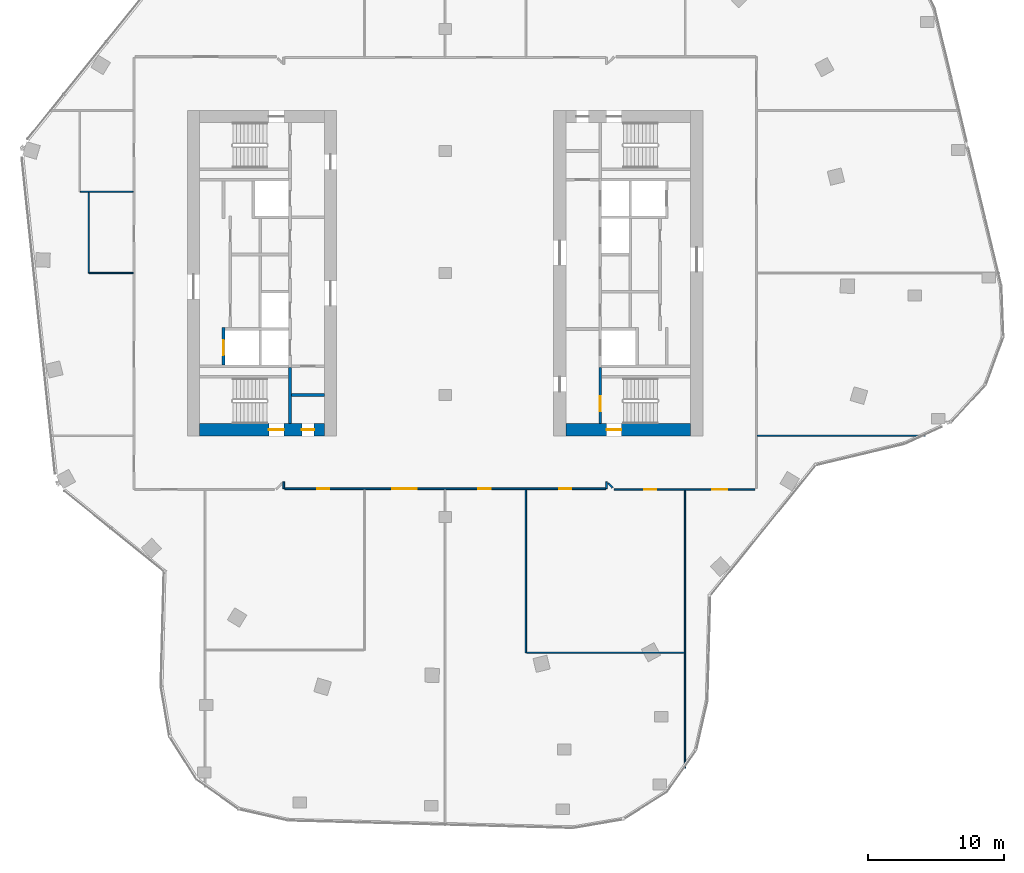
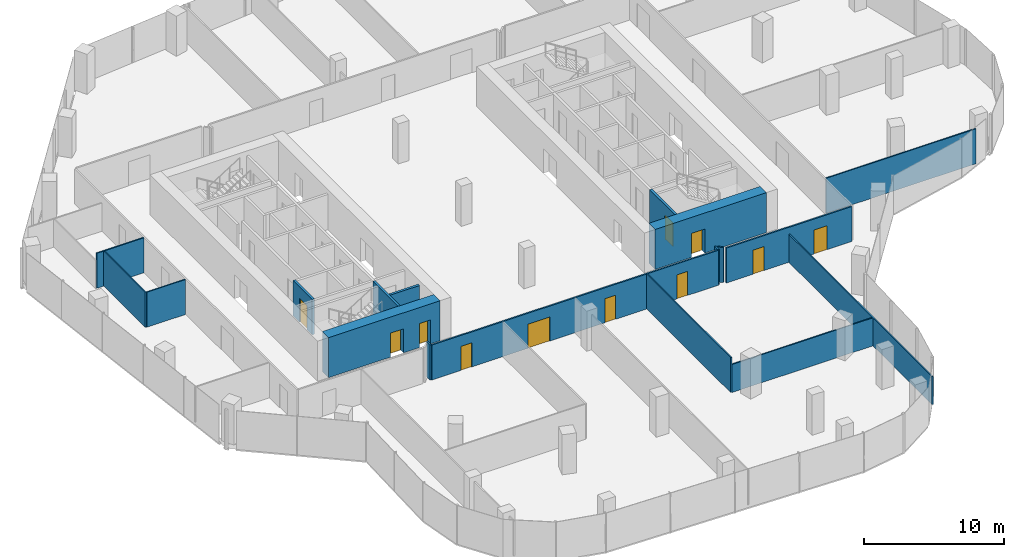
# One storey, part 18 of 23: 18 walls, 11 doors, 11 openings.
"""IFC4 building model written with IfcOpenShell, lengths in metres."""

from ifc_helpers import new_model, si_unit, direction, frame, frame_2d, origin, place, context, subcontext, project, spatial, rectangle, extrude, material, layer, layer_set, type_object, element, fill, save


model = new_model("IFC4")

# Units and contexts
model_context = context("Model", 3, precision=1e-05, world=origin(), true_north=direction((0.0, 1.0)))
body_context = subcontext(model_context, "Body", "Model", "MODEL_VIEW")
ifc_project = project(units=[si_unit("LENGTHUNIT", "METRE"), si_unit("AREAUNIT", "SQUARE_METRE"), si_unit("VOLUMEUNIT", "CUBIC_METRE"), si_unit("PLANEANGLEUNIT", "RADIAN"), si_unit("MASSUNIT", "GRAM", prefix="KILO")], contexts=[model_context])

# Site, building, storey
site_placement = place(None, origin())
site = spatial("IfcSite", under=ifc_project, at=site_placement, CompositionType="ELEMENT")
building_placement = place(site_placement, origin())
building = spatial("IfcBuilding", under=site, at=building_placement, Name="Orlundy Tower", CompositionType="ELEMENT")
storey_placement = place(building_placement, frame((0.0, 0.0, 221.0)))
storey = spatial("IfcBuildingStorey", under=building, at=storey_placement, Name="L58", CompositionType="ELEMENT", Elevation=221.0)

# Wall, openings, doors
ifc_material_1 = material(Name="Concrete C60/75", Category="concrete")
ifc_layer_1 = layer(ifc_material_1, 0.89990234375)
ifc_layer_set_1 = layer_set([ifc_layer_1], Name="CORE WALL 900 C60/75")
wall_type_1 = type_object("IfcWallType", Name="CORE WALL 900 C60/75", PredefinedType="SHEAR", material=ifc_layer_set_1)
wall_1_placement = place(storey_placement, frame((-18.10009765625, -11.550048828125, 0.0), z_axis=(0.0, 0.0, 1.0), x_axis=(1.0, 0.0, 0.0)))
wall_1 = element("IfcWall", 1, at=wall_1_placement, inside=storey, type_object=wall_type_1, Name="Core wall W-S L58", PredefinedType="SHEAR", context=body_context, shape_type="SweptSolid", body=[
    extrude(rectangle(XDim=9.2001953125, YDim=0.89990234375, at=frame_2d((4.60009765625, 0.0))), origin(), (0.0, 0.0, 1.0), 3.5),
])
opening_1_placement = place(wall_1_placement, frame((5.10009765625, 0.0, 0.0)))
opening_1 = element("IfcOpeningElement", 2, at=opening_1_placement, cuts=wall_1, Name="Opening 45013", PredefinedType="OPENING", context=body_context, shape_type="SweptSolid", body=[
    extrude(rectangle(XDim=1.10009765625, YDim=2.10009765625, at=frame_2d((0.550048828125, 1.050048828125))), frame((0.0, 0.4599609375, 0.0), z_axis=(0.0, -1.0, 0.0), x_axis=(1.0, 0.0, 0.0)), (0.0, 0.0, 1.0), 0.919921875),
])
opening_2_placement = place(wall_1_placement, frame((7.530029296875, 0.0, 0.0)))
opening_2 = element("IfcOpeningElement", 3, at=opening_2_placement, cuts=wall_1, Name="Opening 45015", PredefinedType="OPENING", context=body_context, shape_type="SweptSolid", body=[
    extrude(rectangle(XDim=0.89990234375, YDim=2.10009765625, at=frame_2d((0.449951171875, 1.050048828125))), frame((0.0, 0.4599609375, 0.0), z_axis=(0.0, -1.0, 0.0), x_axis=(1.0, 0.0, 0.0)), (0.0, 0.0, 1.0), 0.919921875),
])
ifc_material_2 = material(Name="Timber door set", Category="wood")
door_type_1 = type_object("IfcDoorType", Name="Room Door 900x2100", OperationType="SINGLE_SWING_LEFT", PredefinedType="DOOR", material=ifc_material_2)
door_1_placement = place(opening_2_placement, origin())
door_1 = element("IfcDoor", 4, at=door_1_placement, inside=storey, type_object=door_type_1, Name="Store door 45015", OperationType="SINGLE_SWING_RIGHT", OverallHeight=2.10009765625, OverallWidth=0.89990234375, PredefinedType="DOOR", context=body_context, shape_type="SweptSolid", body=[
    extrude(rectangle(XDim=0.89990234375, YDim=2.10009765625, at=frame_2d((0.449951171875, 1.050048828125))), frame((0.0, 0.02490234375, 0.0), z_axis=(0.0, -1.0, 0.0), x_axis=(1.0, 0.0, 0.0)), (0.0, 0.0, 1.0), 0.050048828125),
])
fill(opening_2, door_1)
ifc_material_3 = material(Name="Steel door set", Category="steel")
door_type_2 = type_object("IfcDoorType", Name="Stair Door 1100x2100", OperationType="SINGLE_SWING_LEFT", PredefinedType="DOOR", material=ifc_material_3)
door_2_placement = place(opening_1_placement, origin())
door_2 = element("IfcDoor", 5, at=door_2_placement, inside=storey, type_object=door_type_2, Name="Stair door 45013", OperationType="SINGLE_SWING_RIGHT", OverallHeight=2.10009765625, OverallWidth=1.10009765625, PredefinedType="DOOR", context=body_context, shape_type="SweptSolid", body=[
    extrude(rectangle(XDim=1.10009765625, YDim=2.10009765625, at=frame_2d((0.550048828125, 1.050048828125))), frame((0.0, 0.02490234375, 0.0), z_axis=(0.0, -1.0, 0.0), x_axis=(1.0, 0.0, 0.0)), (0.0, 0.0, 1.0), 0.050048828125),
])
fill(opening_1, door_2)

# Wall, opening, door
wall_2_placement = place(storey_placement, frame((8.89990234375, -11.550048828125, 0.0), z_axis=(0.0, 0.0, 1.0), x_axis=(1.0, 0.0, 0.0)))
wall_2 = element("IfcWall", 6, at=wall_2_placement, inside=storey, type_object=wall_type_1, Name="Core wall E-S L58", PredefinedType="SHEAR", context=body_context, shape_type="SweptSolid", body=[
    extrude(rectangle(XDim=9.2001953125, YDim=0.89990234375, at=frame_2d((4.60009765625, 0.0))), origin(), (0.0, 0.0, 1.0), 3.5),
])
opening_3_placement = place(wall_2_placement, frame((3.0, 0.0, 0.0)))
opening_3 = element("IfcOpeningElement", 7, at=opening_3_placement, cuts=wall_2, Name="Opening 45061", PredefinedType="OPENING", context=body_context, shape_type="SweptSolid", body=[
    extrude(rectangle(XDim=1.10009765625, YDim=2.10009765625, at=frame_2d((0.550048828125, 1.050048828125))), frame((0.0, 0.4599609375, 0.0), z_axis=(0.0, -1.0, 0.0), x_axis=(1.0, 0.0, 0.0)), (0.0, 0.0, 1.0), 0.919921875),
])
door_3_placement = place(opening_3_placement, origin())
door_3 = element("IfcDoor", 8, at=door_3_placement, inside=storey, type_object=door_type_2, Name="Stair door 45061", OperationType="SINGLE_SWING_LEFT", OverallHeight=2.10009765625, OverallWidth=1.10009765625, PredefinedType="DOOR", context=body_context, shape_type="SweptSolid", body=[
    extrude(rectangle(XDim=1.10009765625, YDim=2.10009765625, at=frame_2d((0.550048828125, 1.050048828125))), frame((0.0, 0.02490234375, 0.0), z_axis=(0.0, -1.0, 0.0), x_axis=(1.0, 0.0, 0.0)), (0.0, 0.0, 1.0), 0.050048828125),
])
fill(opening_3, door_3)

# Walls
ifc_material_4 = material(Name="Gypsum board partition")
ifc_layer_2 = layer(ifc_material_4, 0.10009765625)
ifc_layer_set_2 = layer_set([ifc_layer_2], Name="Floor partition 100")
wall_type_2 = type_object("IfcWallType", Name="Floor partition 100", PredefinedType="PARTITIONING", material=ifc_layer_set_2)
wall_3_placement = place(storey_placement, frame((23.013916015625, -12.0, 0.0), z_axis=(0.0, 0.0, 1.0), x_axis=(1.0, 0.0, 0.0)))
element("IfcWall", 9, at=wall_3_placement, inside=storey, type_object=wall_type_2, Name="wall-int-L58-009", PredefinedType="PARTITIONING", context=body_context, shape_type="SweptSolid", body=[
    extrude(rectangle(XDim=12.385009765625, YDim=0.10009765625, at=frame_2d((6.1923828125, 0.0))), origin(), (0.0, 0.0, 1.0), 3.06005859375),
])
wall_4_placement = place(storey_placement, frame((-26.23095703125, 0.0009765625, 0.0), z_axis=(0.0, 0.0, 1.0), x_axis=(1.0, 0.0, 0.0)))
element("IfcWall", 10, at=wall_4_placement, inside=storey, type_object=wall_type_2, Name="wall-int-L58-010", PredefinedType="PARTITIONING", context=body_context, shape_type="SweptSolid", body=[
    extrude(rectangle(XDim=3.218994140625, YDim=0.10009765625, at=frame_2d((1.609375, 0.0))), origin(), (0.0, 0.0, 1.0), 3.06005859375),
])
wall_5_placement = place(storey_placement, frame((-26.89794921875, 6.0009765625, 0.0), z_axis=(0.0, 0.0, 1.0), x_axis=(1.0, 0.0, 0.0)))
element("IfcWall", 11, at=wall_5_placement, inside=storey, type_object=wall_type_2, Name="wall-int-L58-012", PredefinedType="PARTITIONING", context=body_context, shape_type="SweptSolid", body=[
    extrude(rectangle(XDim=3.885986328125, YDim=0.10009765625, at=frame_2d((1.94287109375, 0.0))), origin(), (0.0, 0.0, 1.0), 3.06005859375),
])
wall_6_placement = place(storey_placement, frame((5.948974609375, -28.0009765625, 0.0), z_axis=(0.0, 0.0, 1.0), x_axis=(0.0, 1.0, 0.0)))
element("IfcWall", 12, at=wall_6_placement, inside=storey, type_object=wall_type_2, Name="wall-int-L58-025", PredefinedType="PARTITIONING", context=body_context, shape_type="SweptSolid", body=[
    extrude(rectangle(XDim=12.0380859375, YDim=0.10009765625, at=frame_2d((6.01904296875, 0.0))), origin(), (0.0, 0.0, 1.0), 3.06005859375),
])
wall_7_placement = place(storey_placement, frame((-26.281982421875, 0.001953125, 0.0), z_axis=(0.0, 0.0, 1.0), x_axis=(0.0, 1.0, 0.0)))
element("IfcWall", 13, at=wall_7_placement, inside=storey, type_object=wall_type_2, Name="wall-int-L58-035", PredefinedType="PARTITIONING", context=body_context, shape_type="SweptSolid", body=[
    extrude(rectangle(XDim=5.948974609375, YDim=0.10009765625, at=frame_2d((2.974609375, 0.0))), origin(), (0.0, 0.0, 1.0), 3.06005859375),
])
ifc_material_5 = material(Name="Gypsum board partition")
ifc_layer_3 = layer(ifc_material_5, 0.10009765625)
ifc_layer_set_3 = layer_set([ifc_layer_3], Name="Floor partition 100 B")
wall_type_3 = type_object("IfcWallType", Name="Floor partition 100 B", PredefinedType="PARTITIONING", material=ifc_layer_set_3)
wall_8_placement = place(storey_placement, frame((5.9990234375, -28.0009765625, 0.0), z_axis=(0.0, 0.0, 1.0), x_axis=(1.0, 0.0, 0.0)))
element("IfcWall", 14, at=wall_8_placement, inside=storey, type_object=wall_type_3, Name="wall-int-L58-003", PredefinedType="PARTITIONING", context=body_context, shape_type="SweptSolid", body=[
    extrude(rectangle(XDim=11.634033203125, YDim=0.10009765625, at=frame_2d((5.81689453125, 0.0))), origin(), (0.0, 0.0, 1.0), 2.448974609375),
])
wall_9_placement = place(storey_placement, frame((17.68310546875, -36.52392578125, 0.0), z_axis=(0.0, 0.0, 1.0), x_axis=(0.0, 1.0, 0.0)))
element("IfcWall", 15, at=wall_9_placement, inside=storey, type_object=wall_type_3, Name="wall-int-L58-022", PredefinedType="PARTITIONING", context=body_context, shape_type="SweptSolid", body=[
    extrude(rectangle(XDim=20.510009765625, YDim=0.10009765625, at=frame_2d((10.2548828125, 0.0))), origin(), (0.0, 0.0, 1.0), 2.448974609375),
])
ifc_material_6 = material(Name="Gypsum board partition, double layer")
ifc_layer_4 = layer(ifc_material_6, 0.125)
ifc_layer_set_4 = layer_set([ifc_layer_4], Name="Floor partition 125")
wall_type_4 = type_object("IfcWallType", Name="Floor partition 125", PredefinedType="PARTITIONING", material=ifc_layer_set_4)
wall_10_placement = place(storey_placement, frame((12.029052734375, -15.507080078125, 0.0), z_axis=(0.0, 0.0, 1.0), x_axis=(0.707106781187, -0.707106781187, 0.0)))
element("IfcWall", 16, at=wall_10_placement, inside=storey, type_object=wall_type_4, Name="wall-int-L58-001", PredefinedType="PARTITIONING", context=body_context, shape_type="SweptSolid", body=[
    extrude(rectangle(XDim=0.4482421875, YDim=0.125, at=frame_2d((0.22412109375, 0.0))), origin(), (0.0, 0.0, 1.0), 3.06005859375),
])

# Wall, openings, doors
wall_11_placement = place(storey_placement, frame((22.844970703125, -15.950927734375, 0.0), z_axis=(0.0, 0.0, 1.0), x_axis=(-1.0, 0.0, 0.0)))
wall_11 = element("IfcWall", 17, at=wall_11_placement, inside=storey, type_object=wall_type_4, Name="wall-int-L58-006", PredefinedType="PARTITIONING", context=body_context, shape_type="SweptSolid", body=[
    extrude(rectangle(XDim=10.385009765625, YDim=0.125, at=frame_2d((5.1923828125, 0.0))), origin(), (0.0, 0.0, 1.0), 3.06005859375),
])
opening_4_placement = place(wall_11_placement, frame((7.261474609375, 0.0, 0.0)))
opening_4 = element("IfcOpeningElement", 18, at=opening_4_placement, cuts=wall_11, Name="Opening 45106", PredefinedType="OPENING", context=body_context, shape_type="SweptSolid", body=[
    extrude(rectangle(XDim=0.89990234375, YDim=2.10009765625, at=frame_2d((0.449951171875, 1.050048828125))), frame((0.0, 0.072509765625, 0.0), z_axis=(0.0, -1.0, 0.0), x_axis=(1.0, 0.0, 0.0)), (0.0, 0.0, 1.0), 0.14501953125),
])
opening_5_placement = place(wall_11_placement, frame((2.03759765625, 0.0, 0.0)))
opening_5 = element("IfcOpeningElement", 19, at=opening_5_placement, cuts=wall_11, Name="Opening 45107", PredefinedType="OPENING", context=body_context, shape_type="SweptSolid", body=[
    extrude(rectangle(XDim=1.10009765625, YDim=2.10009765625, at=frame_2d((0.550048828125, 1.050048828125))), frame((0.0, 0.072509765625, 0.0), z_axis=(0.0, -1.0, 0.0), x_axis=(1.0, 0.0, 0.0)), (0.0, 0.0, 1.0), 0.14501953125),
])
ifc_material_7 = material(Name="Timber door leaf", Category="wood")
door_type_3 = type_object("IfcDoorType", Name="Floor door single 900 FD30S", OperationType="NOTDEFINED", PredefinedType="DOOR", material=ifc_material_7)
door_4_placement = place(opening_4_placement, origin())
door_4 = element("IfcDoor", 20, at=door_4_placement, inside=storey, type_object=door_type_3, Name="Door 45106", OperationType="SINGLE_SWING_RIGHT", OverallHeight=2.10009765625, OverallWidth=0.89990234375, PredefinedType="DOOR", context=body_context, shape_type="SweptSolid", body=[
    extrude(rectangle(XDim=0.89990234375, YDim=2.10009765625, at=frame_2d((0.449951171875, 1.050048828125))), frame((0.0, 0.02490234375, 0.0), z_axis=(0.0, -1.0, 0.0), x_axis=(1.0, 0.0, 0.0)), (0.0, 0.0, 1.0), 0.050048828125),
])
fill(opening_4, door_4)
ifc_material_8 = material(Name="Timber door leaf", Category="wood")
door_type_4 = type_object("IfcDoorType", Name="Floor door xwide 1100 FD30S", OperationType="NOTDEFINED", PredefinedType="DOOR", material=ifc_material_8)
door_5_placement = place(opening_5_placement, origin())
door_5 = element("IfcDoor", 21, at=door_5_placement, inside=storey, type_object=door_type_4, Name="Door 45107", OperationType="SINGLE_SWING_LEFT", OverallHeight=2.10009765625, OverallWidth=1.10009765625, PredefinedType="DOOR", context=body_context, shape_type="SweptSolid", body=[
    extrude(rectangle(XDim=1.10009765625, YDim=2.10009765625, at=frame_2d((0.550048828125, 1.050048828125))), frame((0.0, 0.02490234375, 0.0), z_axis=(0.0, -1.0, 0.0), x_axis=(1.0, 0.0, 0.0)), (0.0, 0.0, 1.0), 0.050048828125),
])
fill(opening_5, door_5)

wall_12_placement = place(storey_placement, frame((11.837890625, -15.90087890625, 0.0), z_axis=(0.0, 0.0, 1.0), x_axis=(-1.0, 0.0, 0.0)))
wall_12 = element("IfcWall", 22, at=wall_12_placement, inside=storey, type_object=wall_type_4, Name="wall-int-L58-007", PredefinedType="PARTITIONING", context=body_context, shape_type="SweptSolid", body=[
    extrude(rectangle(XDim=23.67578125, YDim=0.125, at=frame_2d((11.837890625, 0.0))), origin(), (0.0, 0.0, 1.0), 3.06005859375),
])
opening_6_placement = place(wall_12_placement, frame((20.386474609375, 0.0, 0.0)))
opening_6 = element("IfcOpeningElement", 23, at=opening_6_placement, cuts=wall_12, Name="Opening 45102", PredefinedType="OPENING", context=body_context, shape_type="SweptSolid", body=[
    extrude(rectangle(XDim=0.89990234375, YDim=2.10009765625, at=frame_2d((0.449951171875, 1.050048828125))), frame((0.0, 0.072509765625, 0.0), z_axis=(0.0, -1.0, 0.0), x_axis=(1.0, 0.0, 0.0)), (0.0, 0.0, 1.0), 0.14501953125),
])
opening_7_placement = place(wall_12_placement, frame((13.9375, 0.0, 0.0)))
opening_7 = element("IfcOpeningElement", 24, at=opening_7_placement, cuts=wall_12, Name="Opening 45103", PredefinedType="OPENING", context=body_context, shape_type="SweptSolid", body=[
    extrude(rectangle(XDim=1.800048828125, YDim=2.10009765625, at=frame_2d((0.89990234375, 1.050048828125))), frame((0.0, 0.072509765625, 0.0), z_axis=(0.0, -1.0, 0.0), x_axis=(1.0, 0.0, 0.0)), (0.0, 0.0, 1.0), 0.14501953125),
])
opening_8_placement = place(wall_12_placement, frame((8.488525390625, 0.0, 0.0)))
opening_8 = element("IfcOpeningElement", 25, at=opening_8_placement, cuts=wall_12, Name="Opening 45104", PredefinedType="OPENING", context=body_context, shape_type="SweptSolid", body=[
    extrude(rectangle(XDim=0.89990234375, YDim=2.10009765625, at=frame_2d((0.449951171875, 1.050048828125))), frame((0.0, 0.072509765625, 0.0), z_axis=(0.0, -1.0, 0.0), x_axis=(1.0, 0.0, 0.0)), (0.0, 0.0, 1.0), 0.14501953125),
])
opening_9_placement = place(wall_12_placement, frame((2.53759765625, 0.0, 0.0)))
opening_9 = element("IfcOpeningElement", 26, at=opening_9_placement, cuts=wall_12, Name="Opening 45105", PredefinedType="OPENING", context=body_context, shape_type="SweptSolid", body=[
    extrude(rectangle(XDim=0.89990234375, YDim=2.10009765625, at=frame_2d((0.449951171875, 1.050048828125))), frame((0.0, 0.072509765625, 0.0), z_axis=(0.0, -1.0, 0.0), x_axis=(1.0, 0.0, 0.0)), (0.0, 0.0, 1.0), 0.14501953125),
])
ifc_material_9 = material(Name="Timber door leaf", Category="wood")
door_type_5 = type_object("IfcDoorType", Name="Floor door double 1800 FD30S", OperationType="NOTDEFINED", PredefinedType="DOOR", material=ifc_material_9)
door_6_placement = place(opening_7_placement, origin())
door_6 = element("IfcDoor", 27, at=door_6_placement, inside=storey, type_object=door_type_5, Name="Door 45103", OperationType="DOUBLE_DOOR_SINGLE_SWING", OverallHeight=2.10009765625, OverallWidth=1.800048828125, PredefinedType="DOOR", context=body_context, shape_type="SweptSolid", body=[
    extrude(rectangle(XDim=1.800048828125, YDim=2.10009765625, at=frame_2d((0.89990234375, 1.050048828125))), frame((0.0, 0.02490234375, 0.0), z_axis=(0.0, -1.0, 0.0), x_axis=(1.0, 0.0, 0.0)), (0.0, 0.0, 1.0), 0.050048828125),
])
fill(opening_7, door_6)
door_7_placement = place(opening_6_placement, origin())
door_7 = element("IfcDoor", 28, at=door_7_placement, inside=storey, type_object=door_type_3, Name="Door 45102", OperationType="SINGLE_SWING_RIGHT", OverallHeight=2.10009765625, OverallWidth=0.89990234375, PredefinedType="DOOR", context=body_context, shape_type="SweptSolid", body=[
    extrude(rectangle(XDim=0.89990234375, YDim=2.10009765625, at=frame_2d((0.449951171875, 1.050048828125))), frame((0.0, 0.02490234375, 0.0), z_axis=(0.0, -1.0, 0.0), x_axis=(1.0, 0.0, 0.0)), (0.0, 0.0, 1.0), 0.050048828125),
])
fill(opening_6, door_7)
door_8_placement = place(opening_8_placement, origin())
door_8 = element("IfcDoor", 29, at=door_8_placement, inside=storey, type_object=door_type_3, Name="Door 45104", OperationType="SINGLE_SWING_LEFT", OverallHeight=2.10009765625, OverallWidth=0.89990234375, PredefinedType="DOOR", context=body_context, shape_type="SweptSolid", body=[
    extrude(rectangle(XDim=0.89990234375, YDim=2.10009765625, at=frame_2d((0.449951171875, 1.050048828125))), frame((0.0, 0.02490234375, 0.0), z_axis=(0.0, -1.0, 0.0), x_axis=(1.0, 0.0, 0.0)), (0.0, 0.0, 1.0), 0.050048828125),
])
fill(opening_8, door_8)
door_9_placement = place(opening_9_placement, origin())
door_9 = element("IfcDoor", 30, at=door_9_placement, inside=storey, type_object=door_type_3, Name="Door 45105", OperationType="SINGLE_SWING_LEFT", OverallHeight=2.10009765625, OverallWidth=0.89990234375, PredefinedType="DOOR", context=body_context, shape_type="SweptSolid", body=[
    extrude(rectangle(XDim=0.89990234375, YDim=2.10009765625, at=frame_2d((0.449951171875, 1.050048828125))), frame((0.0, 0.02490234375, 0.0), z_axis=(0.0, -1.0, 0.0), x_axis=(1.0, 0.0, 0.0)), (0.0, 0.0, 1.0), 0.050048828125),
])
fill(opening_9, door_9)

# Walls
for number, where, z_axis, x_axis, name in (
    (31, (11.90087890625, -15.89990234375, 0.0), (0.0, 0.0, 1.0), (0.0, 1.0, 0.0), "wall-int-L58-023"),
    (32, (-11.90087890625, -15.89990234375, 0.0), (0.0, 0.0, 1.0), (0.0, 1.0, 0.0), "wall-int-L58-031"),
):
    element("IfcWall", number, at=place(storey_placement, frame(where, z_axis=z_axis, x_axis=x_axis)), inside=storey, type_object=wall_type_4, Name=name, PredefinedType="PARTITIONING", context=body_context, shape_type="SweptSolid", body=[
        extrude(rectangle(XDim=0.5078125, YDim=0.125, at=frame_2d((0.25390625, 0.0))), origin(), (0.0, 0.0, 1.0), 3.06005859375),
    ])
ifc_material_10 = material(Name="Concrete C40/50", Category="concrete")
ifc_layer_5 = layer(ifc_material_10, 0.199951171875)
ifc_layer_set_5 = layer_set([ifc_layer_5], Name="Load-bearing Shaft Wall 200")
wall_type_5 = type_object("IfcWallType", Name="Load-bearing Shaft Wall 200", PredefinedType="SOLIDWALL", material=ifc_layer_set_5)
wall_13_placement = place(storey_placement, frame((-11.43994140625, -11.10009765625, 0.0), z_axis=(0.0, 0.0, 1.0), x_axis=(0.0, 1.0, 0.0)))
element("IfcWall", 33, at=wall_13_placement, inside=storey, type_object=wall_type_5, Name="Shaft wall W45-stair-end-s", PredefinedType="SOLIDWALL", context=body_context, shape_type="SweptSolid", body=[
    extrude(rectangle(XDim=4.125, YDim=0.199951171875, at=frame_2d((2.0625, 0.0))), origin(), (0.0, 0.0, 1.0), 3.080078125),
])

# Wall, opening, door
wall_14_placement = place(storey_placement, frame((11.43994140625, -6.97509765625, 0.0), z_axis=(0.0, 0.0, 1.0), x_axis=(0.0, -1.0, 0.0)))
wall_14 = element("IfcWall", 34, at=wall_14_placement, inside=storey, type_object=wall_type_5, Name="Shaft wall E45-stair-end-n", PredefinedType="SOLIDWALL", context=body_context, shape_type="SweptSolid", body=[
    extrude(rectangle(XDim=4.125, YDim=0.199951171875, at=frame_2d((2.0625, 0.0))), origin(), (0.0, 0.0, 1.0), 3.080078125),
])
opening_10_placement = place(wall_14_placement, frame((2.10009765625, 0.0, 0.0)))
opening_10 = element("IfcOpeningElement", 35, at=opening_10_placement, cuts=wall_14, Name="Opening 45063", PredefinedType="OPENING", context=body_context, shape_type="SweptSolid", body=[
    extrude(rectangle(XDim=1.10009765625, YDim=2.10009765625, at=frame_2d((0.550048828125, 1.050048828125))), frame((0.0, 0.110107421875, 0.0), z_axis=(0.0, -1.0, 0.0), x_axis=(1.0, 0.0, 0.0)), (0.0, 0.0, 1.0), 0.22021484375),
])
ifc_material_11 = material(Name="Steel door set", Category="steel")
door_type_6 = type_object("IfcDoorType", Name="Fire-fighting Lobby Door 1100x2100", OperationType="SINGLE_SWING_LEFT", PredefinedType="DOOR", material=ifc_material_11)
door_10_placement = place(opening_10_placement, origin())
door_10 = element("IfcDoor", 36, at=door_10_placement, inside=storey, type_object=door_type_6, Name="Fire-fighting lobby to stair door 45063", OperationType="SINGLE_SWING_RIGHT", OverallHeight=2.10009765625, OverallWidth=1.10009765625, PredefinedType="DOOR", context=body_context, shape_type="SweptSolid", body=[
    extrude(rectangle(XDim=1.10009765625, YDim=2.10009765625, at=frame_2d((0.550048828125, 1.050048828125))), frame((0.0, 0.02490234375, 0.0), z_axis=(0.0, -1.0, 0.0), x_axis=(1.0, 0.0, 0.0)), (0.0, 0.0, 1.0), 0.050048828125),
])
fill(opening_10, door_10)

# Wall
ifc_material_12 = material(Name="Gypsum board partition on steel studs", Category="steel")
ifc_layer_6 = layer(ifc_material_12, 0.199951171875)
ifc_layer_set_6 = layer_set([ifc_layer_6], Name="Partition 200")
wall_type_6 = type_object("IfcWallType", Name="Partition 200", PredefinedType="PARTITIONING", material=ifc_layer_set_6)
wall_15_placement = place(storey_placement, frame((-8.89990234375, -9.0, 0.0), z_axis=(0.0, 0.0, 1.0), x_axis=(-1.0, 0.0, 0.0)))
element("IfcWall", 37, at=wall_15_placement, inside=storey, type_object=wall_type_6, Name="Partition wall W45-room-s0", PredefinedType="PARTITIONING", context=body_context, shape_type="SweptSolid", body=[
    extrude(rectangle(XDim=2.440185546875, YDim=0.199951171875, at=frame_2d((1.22021484375, 0.0))), origin(), (0.0, 0.0, 1.0), 3.080078125),
])

# Wall, opening, door
ifc_material_13 = material(Name="Fire-rated blockwork shaft wall", Category="masonry")
ifc_layer_7 = layer(ifc_material_13, 0.199951171875)
ifc_layer_set_7 = layer_set([ifc_layer_7], Name="Shaft Wall 200")
wall_type_7 = type_object("IfcWallType", Name="Shaft Wall 200", PredefinedType="SOLIDWALL", material=ifc_layer_set_7)
wall_16_placement = place(storey_placement, frame((-16.340087890625, -6.77490234375, 0.0), z_axis=(0.0, 0.0, 1.0), x_axis=(0.0, 1.0, 0.0)))
wall_16 = element("IfcWall", 38, at=wall_16_placement, inside=storey, type_object=wall_type_7, Name="Shaft wall W45-front-o-a", PredefinedType="SOLIDWALL", context=body_context, shape_type="SweptSolid", body=[
    extrude(rectangle(XDim=2.75, YDim=0.199951171875, at=frame_2d((1.375, 0.0))), origin(), (0.0, 0.0, 1.0), 3.080078125),
])
opening_11_placement = place(wall_16_placement, frame((0.72509765625, 0.0, 0.0)))
opening_11 = element("IfcOpeningElement", 39, at=opening_11_placement, cuts=wall_16, Name="Opening 45002", PredefinedType="OPENING", context=body_context, shape_type="SweptSolid", body=[
    extrude(rectangle(XDim=1.10009765625, YDim=2.10009765625, at=frame_2d((0.550048828125, 1.050048828125))), frame((0.0, 0.110107421875, 0.0), z_axis=(0.0, -1.0, 0.0), x_axis=(1.0, 0.0, 0.0)), (0.0, 0.0, 1.0), 0.22021484375),
])
ifc_material_14 = material(Name="Steel door set", Category="steel")
door_type_7 = type_object("IfcDoorType", Name="Landing Door 1100x2100", OperationType="DOUBLE_DOOR_SLIDING", PredefinedType="DOOR", material=ifc_material_14)
door_11_placement = place(opening_11_placement, origin())
door_11 = element("IfcDoor", 40, at=door_11_placement, inside=storey, type_object=door_type_7, Name="Lift landing door LV-01 45002", OperationType="DOUBLE_DOOR_SLIDING", OverallHeight=2.10009765625, OverallWidth=1.10009765625, PredefinedType="DOOR", context=body_context, shape_type="SweptSolid", body=[
    extrude(rectangle(XDim=1.10009765625, YDim=2.10009765625, at=frame_2d((0.550048828125, 1.050048828125))), frame((0.0, 0.02490234375, 0.0), z_axis=(0.0, -1.0, 0.0), x_axis=(1.0, 0.0, 0.0)), (0.0, 0.0, 1.0), 0.050048828125),
])
fill(opening_11, door_11)

save(model, "model.ifc")
